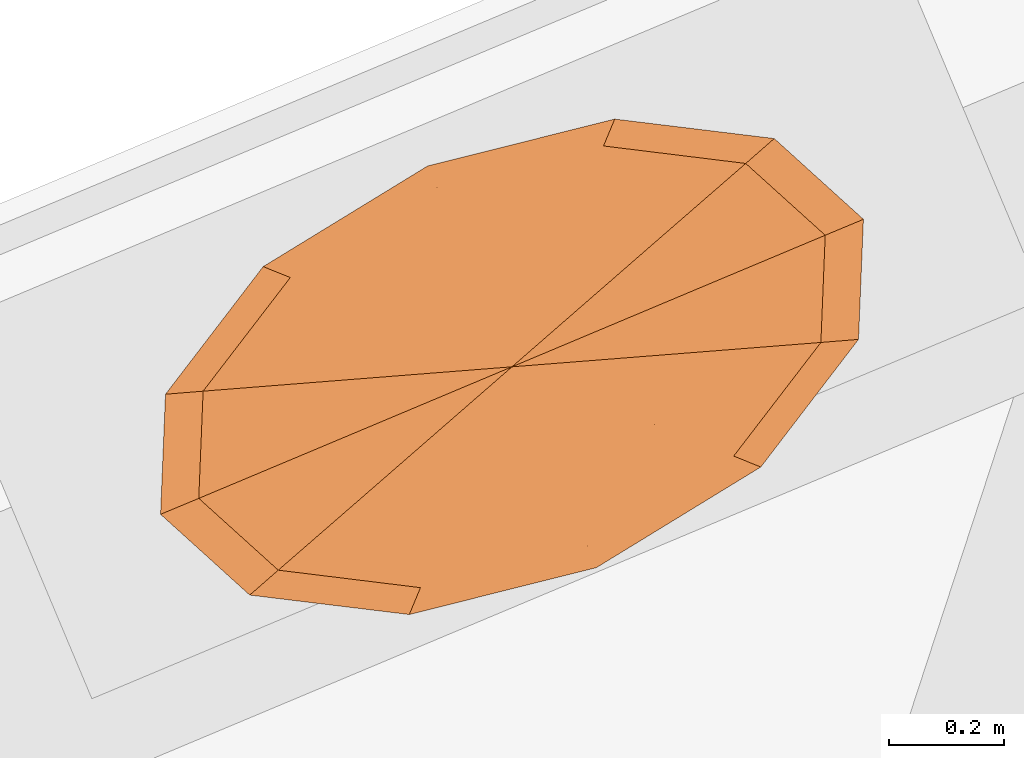
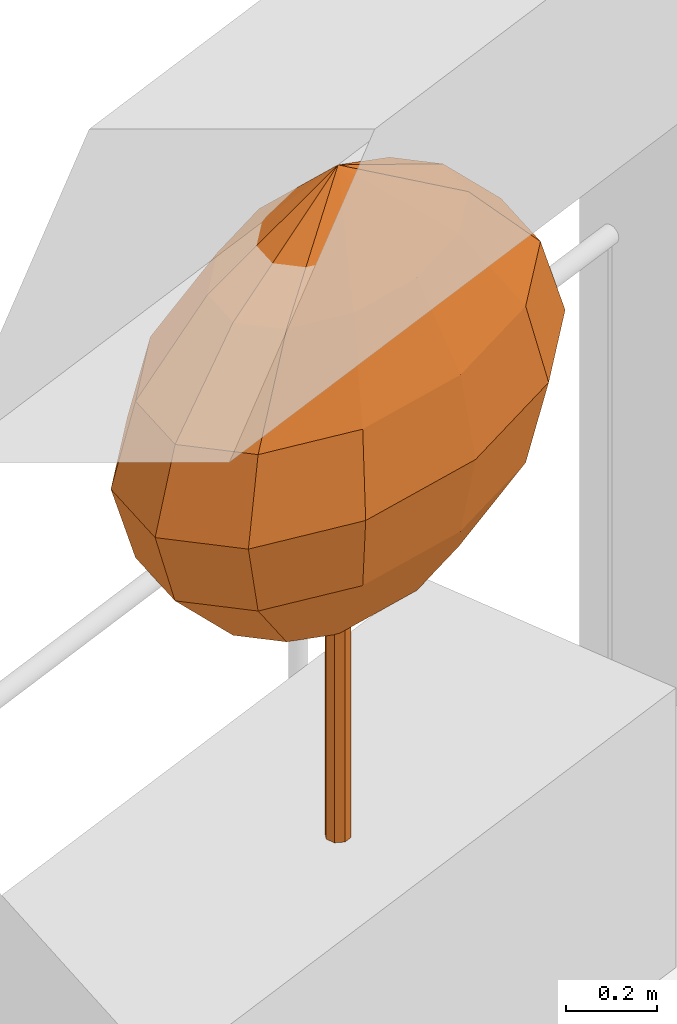
# One storey, part 12 of 12: 1 geographic element.
"""IFC4 building model written with IfcOpenShell, lengths in metres."""

from ifc_helpers import new_model, si_unit, direction, frame, origin, place, context, subcontext, project, spatial, faceted_brep, material, constituent, constituent_set, type_object, element, save


model = new_model("IFC4")

# Units and contexts
model_context = context("Model", 3, precision=1e-05, world=origin(), true_north=direction((0.0, 1.0)))
body_context = subcontext(model_context, "Body", "Model", "MODEL_VIEW")
ifc_project = project(units=[si_unit("LENGTHUNIT", "METRE"), si_unit("AREAUNIT", "SQUARE_METRE"), si_unit("VOLUMEUNIT", "CUBIC_METRE"), si_unit("PLANEANGLEUNIT", "RADIAN"), si_unit("MASSUNIT", "GRAM", prefix="KILO")], contexts=[model_context])

# Site, building, storey
site_placement = place(None, origin())
site = spatial("IfcSite", under=ifc_project, at=site_placement, CompositionType="ELEMENT")
building_placement = place(site_placement, origin())
building = spatial("IfcBuilding", under=site, at=building_placement, Name="Taillehof Tower", CompositionType="ELEMENT")
storey_placement = place(building_placement, frame((0.0, 0.0, 253.10009765625)))
storey = spatial("IfcBuildingStorey", under=building, at=storey_placement, Name="L72", CompositionType="ELEMENT", Elevation=253.10009765625)

# Geographic element
ifc_material_1 = material(Name="Tree bark", Category="timber")
ifc_constituent_1 = constituent(ifc_material_1, Name="Trunk", Category="timber")
ifc_material_2 = material(Name="Tree foliage")
ifc_constituent_2 = constituent(ifc_material_2, Name="Crown")
ifc_constituent_set = constituent_set(constituents=[ifc_constituent_1, ifc_constituent_2], Name="Tree TR4 Sea buckthorn standard")
geographic_element_type = type_object("IfcGeographicElementType", Name="Tree TR4 Sea buckthorn standard", PredefinedType="USERDEFINED", material=ifc_constituent_set)
geographic_element_placement = place(storey_placement, frame((-10.279541015625, 19.973388671875, 0.75)))
element("IfcGeographicElement", 1, at=geographic_element_placement, inside=storey, type_object=geographic_element_type, Name="Tree TR4 Sea buckthorn standard", ObjectType="TREE", PredefinedType="USERDEFINED", context=body_context, shape_type="Brep", body=[
    faceted_brep([(0.030029296875, 0.0, 0.0), (0.021240234375, 0.021240234375, 0.0), (0.021240234375, 0.021240234375, 0.98095703125), (0.030029296875, 0.0, 0.98095703125), (0.0, 0.030029296875, 0.0), (0.0, 0.030029296875, 0.98095703125), (-0.021240234375, 0.021240234375, 0.0), (-0.021240234375, 0.021240234375, 0.98095703125), (-0.030029296875, 0.0, 0.0), (-0.030029296875, 0.0, 0.98095703125), (-0.021240234375, -0.021240234375, 0.0), (-0.021240234375, -0.021240234375, 0.98095703125), (0.0, -0.030029296875, 0.0), (0.0, -0.030029296875, 0.98095703125), (0.021240234375, -0.021240234375, 0.0), (0.021240234375, -0.021240234375, 0.98095703125)], [[[0, 1, 2, 3]], [[1, 4, 5, 2]], [[4, 6, 7, 5]], [[6, 8, 9, 7]], [[8, 10, 11, 9]], [[10, 12, 13, 11]], [[12, 14, 15, 13]], [[14, 0, 3, 15]], [[14, 12, 10, 8, 6, 4, 1, 0]], [[3, 2, 5, 7, 9, 11, 13, 15]]]),
    faceted_brep([(0.0, 0.0, 0.5400390625), (-0.2626953125, -0.228759765625, 0.75), (-0.35205078125, -0.14794921875, 0.75), (-0.10302734375, -0.248291015625, 0.75), (0.08447265625, -0.201171875, 0.75), (0.249267578125, -0.100341796875, 0.75), (0.34716796875, 0.02734375, 0.75), (0.35205078125, 0.14794921875, 0.75), (0.2626953125, 0.228759765625, 0.75), (0.10302734375, 0.248291015625, 0.75), (-0.08447265625, 0.201171875, 0.75), (-0.249267578125, 0.100341796875, 0.75), (-0.34716796875, -0.02734375, 0.75), (-0.40771484375, -0.354736328125, 0.9599609375), (-0.54638671875, -0.2294921875, 0.9599609375), (-0.15966796875, -0.38525390625, 0.9599609375), (0.131103515625, -0.312255859375, 0.9599609375), (0.38671875, -0.15576171875, 0.9599609375), (0.538818359375, 0.04248046875, 0.9599609375), (0.54638671875, 0.2294921875, 0.9599609375), (0.40771484375, 0.354736328125, 0.9599609375), (0.15966796875, 0.38525390625, 0.9599609375), (-0.131103515625, 0.312255859375, 0.9599609375), (-0.38671875, 0.15576171875, 0.9599609375), (-0.538818359375, -0.04248046875, 0.9599609375), (-0.45751953125, -0.398193359375, 1.169921875), (-0.613037109375, -0.25732421875, 1.169921875), (-0.17919921875, -0.43212890625, 1.169921875), (0.147216796875, -0.350341796875, 1.169921875), (0.43408203125, -0.1748046875, 1.169921875), (0.6044921875, 0.0478515625, 1.169921875), (0.613037109375, 0.25732421875, 1.169921875), (0.45751953125, 0.398193359375, 1.169921875), (0.17919921875, 0.43212890625, 1.169921875), (-0.147216796875, 0.350341796875, 1.169921875), (-0.43408203125, 0.1748046875, 1.169921875), (-0.6044921875, -0.0478515625, 1.169921875), (-0.40771484375, -0.354736328125, 1.3798828125), (-0.54638671875, -0.2294921875, 1.3798828125), (-0.15966796875, -0.38525390625, 1.3798828125), (0.131103515625, -0.312255859375, 1.3798828125), (0.38671875, -0.15576171875, 1.3798828125), (0.538818359375, 0.04248046875, 1.3798828125), (0.54638671875, 0.2294921875, 1.3798828125), (0.40771484375, 0.354736328125, 1.3798828125), (0.15966796875, 0.38525390625, 1.3798828125), (-0.131103515625, 0.312255859375, 1.3798828125), (-0.38671875, 0.15576171875, 1.3798828125), (-0.538818359375, -0.04248046875, 1.3798828125), (-0.2626953125, -0.228759765625, 1.590087890625), (-0.35205078125, -0.14794921875, 1.590087890625), (-0.10302734375, -0.248291015625, 1.590087890625), (0.08447265625, -0.201171875, 1.590087890625), (0.249267578125, -0.100341796875, 1.590087890625), (0.34716796875, 0.02734375, 1.590087890625), (0.35205078125, 0.14794921875, 1.590087890625), (0.2626953125, 0.228759765625, 1.590087890625), (0.10302734375, 0.248291015625, 1.590087890625), (-0.08447265625, 0.201171875, 1.590087890625), (-0.249267578125, 0.100341796875, 1.590087890625), (-0.34716796875, -0.02734375, 1.590087890625), (0.0, 0.0, 1.800048828125)], [[[0, 1, 2]], [[0, 3, 1]], [[0, 4, 3]], [[0, 5, 4]], [[0, 6, 5]], [[0, 7, 6]], [[0, 8, 7]], [[0, 9, 8]], [[0, 10, 9]], [[0, 11, 10]], [[0, 12, 11]], [[0, 2, 12]], [[2, 1, 13, 14]], [[1, 3, 15, 13]], [[3, 4, 16, 15]], [[4, 5, 17, 16]], [[5, 6, 18, 17]], [[6, 7, 19, 18]], [[7, 8, 20, 19]], [[8, 9, 21, 20]], [[9, 10, 22, 21]], [[10, 11, 23, 22]], [[11, 12, 24, 23]], [[12, 2, 14, 24]], [[14, 13, 25, 26]], [[13, 15, 27, 25]], [[15, 16, 28, 27]], [[16, 17, 29, 28]], [[17, 18, 30, 29]], [[18, 19, 31, 30]], [[19, 20, 32, 31]], [[20, 21, 33, 32]], [[21, 22, 34, 33]], [[22, 23, 35, 34]], [[23, 24, 36, 35]], [[24, 14, 26, 36]], [[26, 25, 37, 38]], [[25, 27, 39, 37]], [[27, 28, 40, 39]], [[28, 29, 41, 40]], [[29, 30, 42, 41]], [[30, 31, 43, 42]], [[31, 32, 44, 43]], [[32, 33, 45, 44]], [[33, 34, 46, 45]], [[34, 35, 47, 46]], [[35, 36, 48, 47]], [[36, 26, 38, 48]], [[38, 37, 49, 50]], [[37, 39, 51, 49]], [[39, 40, 52, 51]], [[40, 41, 53, 52]], [[41, 42, 54, 53]], [[42, 43, 55, 54]], [[43, 44, 56, 55]], [[44, 45, 57, 56]], [[45, 46, 58, 57]], [[46, 47, 59, 58]], [[47, 48, 60, 59]], [[48, 38, 50, 60]], [[50, 49, 61]], [[49, 51, 61]], [[51, 52, 61]], [[52, 53, 61]], [[53, 54, 61]], [[54, 55, 61]], [[55, 56, 61]], [[56, 57, 61]], [[57, 58, 61]], [[58, 59, 61]], [[59, 60, 61]], [[60, 50, 61]]]),
])

save(model, "model.ifc")
